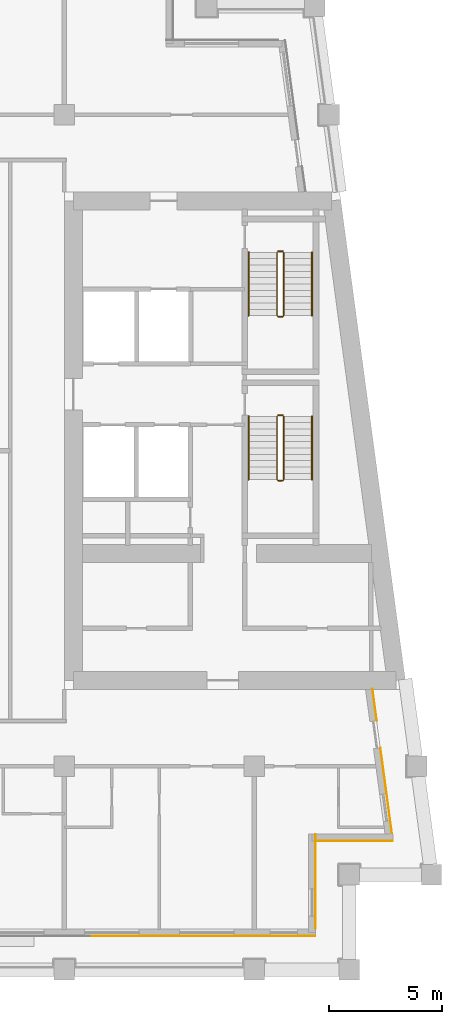
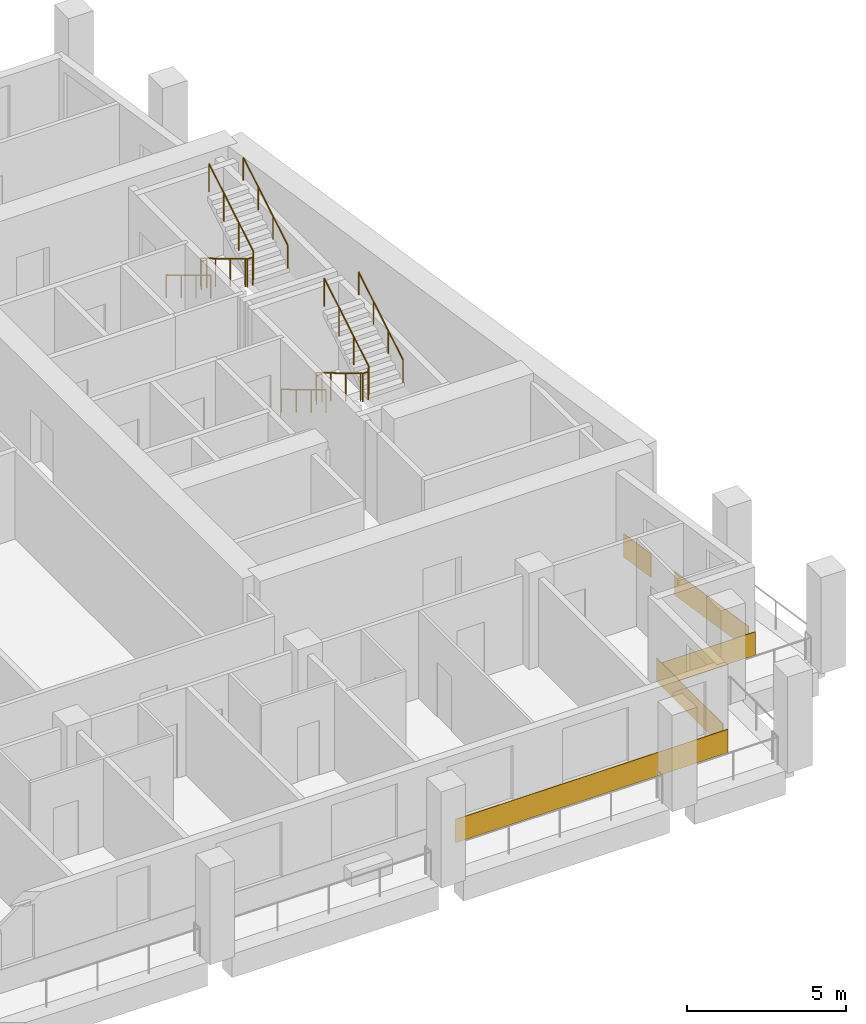
# One storey, part 10 of 12: 8 railings, 5 coverings.
"""IFC4 building model written with IfcOpenShell, lengths in metres."""

import ifcopenshell
import ifcopenshell.guid

model = None  # the IFC model being written
_history = None  # IfcOwnerHistory: only IFC2X3 demands one
_inside = {}  # id of a spatial element -> (the spatial element, [elements in it])
_under = {}  # id of a project, library or spatial element -> (it, [spatial elements below it])
_declared = {}  # id of a project -> (the project, [libraries it declares])
_typed = {}  # id of a type object -> (the type object, [elements of that type])
_made_of = {}  # id of a material, layer set ... -> (it, [elements and type objects made of it])


def new_model(schema):
    """Start an empty IFC model of exactly this schema.

    Asked for "IFC4X3", IfcOpenShell would pick the latest addendum, in which some entities
    have other attributes; the version numbers below select the first issue.
    IFC2X3 requires an IfcOwnerHistory on every rooted entity: one is made here for all.
    """
    global model, _history
    if schema == "IFC4X3":
        model = ifcopenshell.file(schema_version=(4, 3, 0, 0))
    else:
        model = ifcopenshell.file(schema=schema)
    _inside.clear()
    _under.clear()
    _declared.clear()
    _typed.clear()
    _made_of.clear()
    _history = None
    if model.schema == "IFC2X3":
        org = make("IfcOrganization", Name="unknown")
        user = make(
            "IfcPersonAndOrganization",
            ThePerson=make("IfcPerson", FamilyName="unknown"),
            TheOrganization=org,
        )
        app = make(
            "IfcApplication",
            ApplicationDeveloper=org,
            Version="unknown",
            ApplicationFullName="unknown",
            ApplicationIdentifier="unknown",
        )
        _history = make(
            "IfcOwnerHistory",
            OwningUser=user,
            OwningApplication=app,
            ChangeAction="ADDED",
            CreationDate=0,
        )
    return model


def make(cls, **values):
    """One entity of the class cls with the attributes given. An attribute that is None is left unset."""
    return model.create_entity(
        cls, **{name: value for name, value in values.items() if value is not None}
    )


def rooted(cls, **values):
    """An entity with a GlobalId (a new one), such as an element, a storey or a relation."""
    return make(cls, GlobalId=ifcopenshell.guid.new(), OwnerHistory=_history, **values)


def si_unit(unit_type, name, prefix=None):
    """IfcSIUnit, for example si_unit("LENGTHUNIT", "METRE", prefix="MILLI")."""
    return make("IfcSIUnit", UnitType=unit_type, Prefix=prefix, Name=name)


def assignment(units):
    """IfcUnitAssignment: the units of a project."""
    return None if units is None else make("IfcUnitAssignment", Units=units)


def point(xyz):
    """IfcCartesianPoint."""
    return None if xyz is None else make("IfcCartesianPoint", Coordinates=xyz)


def direction(xyz):
    """IfcDirection."""
    return None if xyz is None else make("IfcDirection", DirectionRatios=xyz)


def frame(location, z_axis=None, x_axis=None):
    """IfcAxis2Placement3D, a coordinate frame: its origin and axes. An axis left out is left unset."""
    return make(
        "IfcAxis2Placement3D",
        Location=point(location),
        Axis=direction(z_axis),
        RefDirection=direction(x_axis),
    )


def frame_2d(location, x_axis=None):
    """IfcAxis2Placement2D, a coordinate frame in the plane: its origin and x axis."""
    return make(
        "IfcAxis2Placement2D", Location=point(location), RefDirection=direction(x_axis)
    )


def origin():
    """The frame at (0, 0, 0) with its axes left unset."""
    return frame((0.0, 0.0, 0.0))


def origin_2d():
    """The frame at (0, 0) in the plane with its x axis left unset."""
    return frame_2d((0.0, 0.0))


def place(relative_to, where):
    """IfcLocalPlacement: puts the frame where relative to a parent placement (None: the world)."""
    return make(
        "IfcLocalPlacement", PlacementRelTo=relative_to, RelativePlacement=where
    )


def context(
    kind, dimensions, precision=None, world=None, true_north=None, identifier=None
):
    """IfcGeometricRepresentationContext, for example the 3D "Model" context."""
    return make(
        "IfcGeometricRepresentationContext",
        ContextIdentifier=identifier,
        ContextType=kind,
        CoordinateSpaceDimension=dimensions,
        Precision=precision,
        WorldCoordinateSystem=world,
        TrueNorth=true_north,
    )


def subcontext(parent, identifier, kind, view, scale=None):
    """IfcGeometricRepresentationSubContext, for example "Body" below "Model"."""
    return make(
        "IfcGeometricRepresentationSubContext",
        ContextIdentifier=identifier,
        ContextType=kind,
        ParentContext=parent,
        TargetScale=scale,
        TargetView=view,
    )


def project(units=None, contexts=None):
    """IfcProject with its units and contexts."""
    return rooted(
        "IfcProject",
        Name="project",
        RepresentationContexts=contexts,
        UnitsInContext=assignment(units),
    )


def spatial(cls, under=None, at=None, **own):
    """A site, building, storey or space (cls), placed at a placement, below another one or the project."""
    s = rooted(cls, ObjectPlacement=at, **own)
    if under is not None:
        _under.setdefault(under.id(), (under, []))[1].append(s)
    return s


def profile(cls, at=None, kind="AREA", **sizes):
    """A parametric profile (cls). Its sizes go by their IFC names, for example OverallWidth=200.0."""
    return make(cls, ProfileType=kind, Position=at, **sizes)


def rectangle(**sizes):
    """IfcRectangleProfileDef."""
    return profile("IfcRectangleProfileDef", **sizes)


def circle(**sizes):
    """IfcCircleProfileDef."""
    return profile("IfcCircleProfileDef", **sizes)


def extrude(swept, where, along, depth):
    """IfcExtrudedAreaSolid: the profile swept, set in the frame where, extruded along a direction by depth."""
    return make(
        "IfcExtrudedAreaSolid",
        SweptArea=swept,
        Position=where,
        ExtrudedDirection=direction(along),
        Depth=depth,
    )


def shape(context_of_items, identifier, shape_type, items):
    """IfcShapeRepresentation: the items that make up one representation, for example the "Body"."""
    return make(
        "IfcShapeRepresentation",
        ContextOfItems=context_of_items,
        RepresentationIdentifier=identifier,
        RepresentationType=shape_type,
        Items=items,
    )


def material(Name=None, Category=None):
    """IfcMaterial."""
    return make("IfcMaterial", Name=Name, Category=Category)


def layer(
    of_material, thickness, ventilated=None, Name=None, Category=None, Priority=None
):
    """IfcMaterialLayer: one layer of a wall or slab, of a material (None: an air gap)."""
    return make(
        "IfcMaterialLayer",
        Material=of_material,
        LayerThickness=thickness,
        IsVentilated=ventilated,
        Name=Name,
        Category=Category,
        Priority=Priority,
    )


def layer_set(layers, Name=None):
    """IfcMaterialLayerSet."""
    return make("IfcMaterialLayerSet", MaterialLayers=layers, LayerSetName=Name)


def made_of(thing, what):
    """Note that an element or type object is made of a material, layer set ...; save() writes the relation."""
    if what is not None:
        _made_of.setdefault(what.id(), (what, []))[1].append(thing)
    return thing


def type_object(cls, material=None, **own):
    """A type object (cls), such as IfcWallType, which elements share."""
    return made_of(rooted(cls, **own), material)


def element(
    cls,
    number,
    at=None,
    inside=None,
    cuts=None,
    type_object=None,
    material=None,
    context=None,
    identifier="Body",
    shape_type=None,
    held_by="IfcProductDefinitionShape",
    body=None,
    shapes=None,
    **own,
):
    """One element of the class cls, such as IfcWall. Its Tag is "e" and its number.

    at: its placement. inside: the storey or other place that contains it. cuts: it is an
    opening in that element (IfcRelVoidsElement). A single representation is given by context,
    identifier, shape_type and body (its items); several are given by shapes. held_by: the class
    of the entity that holds the representations. save() writes the other relations.
    """
    e = rooted(cls, Tag="e%d" % number, ObjectPlacement=at, **own)
    if body is not None:
        shapes = [shape(context, identifier, shape_type, body)]
    if shapes is not None:
        e.Representation = make(held_by, Representations=shapes)
    if inside is not None:
        _inside.setdefault(inside.id(), (inside, []))[1].append(e)
    if cuts is not None:
        rooted(
            "IfcRelVoidsElement", RelatingBuildingElement=cuts, RelatedOpeningElement=e
        )
    if type_object is not None:
        _typed.setdefault(type_object.id(), (type_object, []))[1].append(e)
    return made_of(e, material)


def aggregate(whole, parts):
    """IfcRelAggregates: a whole, such as a stair, and the parts it consists of."""
    return rooted("IfcRelAggregates", RelatingObject=whole, RelatedObjects=parts)


def save(model, path):
    """Write the relations noted so far, then the file.

    IfcRelAggregates (storeys below a building ...), IfcRelContainedInSpatialStructure (elements
    in a storey), IfcRelDefinesByType, IfcRelAssociatesMaterial and IfcRelDeclares: one each for
    every whole, place, type object, material and project.
    """
    for whole, parts in _under.values():
        aggregate(whole, parts)
    for where, things in _inside.values():
        rooted(
            "IfcRelContainedInSpatialStructure",
            RelatedElements=things,
            RelatingStructure=where,
        )
    for kind, things in _typed.values():
        rooted("IfcRelDefinesByType", RelatedObjects=things, RelatingType=kind)
    for what, things in _made_of.values():
        rooted("IfcRelAssociatesMaterial", RelatedObjects=things, RelatingMaterial=what)
    for by, libraries in _declared.values():
        rooted("IfcRelDeclares", RelatingContext=by, RelatedDefinitions=libraries)
    model.write(path)


model = new_model("IFC4")

# Units and contexts
model_context = context("Model", 3, precision=1e-05, world=origin(), true_north=direction((0.0, 1.0)))
body_context = subcontext(model_context, "Body", "Model", "MODEL_VIEW")
ifc_project = project(units=[si_unit("LENGTHUNIT", "METRE"), si_unit("AREAUNIT", "SQUARE_METRE"), si_unit("VOLUMEUNIT", "CUBIC_METRE"), si_unit("PLANEANGLEUNIT", "RADIAN"), si_unit("MASSUNIT", "GRAM", prefix="KILO")], contexts=[model_context])

# Site, building, storey
site_placement = place(None, origin())
site = spatial("IfcSite", under=ifc_project, at=site_placement, CompositionType="ELEMENT")
building_placement = place(site_placement, origin())
building = spatial("IfcBuilding", under=site, at=building_placement, Name="Candeia Pilgrim Tower and Theatre", CompositionType="ELEMENT")
storey_placement = place(building_placement, frame((0.0, 0.0, 213.300048828125)))
storey = spatial("IfcBuildingStorey", under=building, at=storey_placement, Name="L51", CompositionType="ELEMENT", Elevation=213.300048828125)

# Coverings
ifc_material_1 = material(Name="Glazed ceramic tile bottle green")
ifc_layer_1 = layer(ifc_material_1, 0.02001953125)
ifc_layer_set_1 = layer_set([ifc_layer_1], Name="Glazed ceramic tile bottle green")
covering_type_1 = type_object("IfcCoveringType", Name="Glazed ceramic tile bottle green", PredefinedType="CLADDING", material=ifc_layer_set_1)
covering_1_placement = place(storey_placement, frame((137.110107421875, 101.909912109375, 0.0), z_axis=(0.0, 0.0, 1.0), x_axis=(0.0, 1.0, 0.0)))
element("IfcCovering", 1, at=covering_1_placement, inside=storey, type_object=covering_type_1, Name="Tile cladding bottle green L51", PredefinedType="CLADDING", context=body_context, shape_type="SweptSolid", body=[
    extrude(rectangle(XDim=4.179931640625, YDim=0.02001953125, at=origin_2d()), origin(), (0.0, 0.0, 1.0), 0.89990234375),
])
covering_2_placement = place(storey_placement, frame((140.228515625, 105.933349609375, 0.0), z_axis=(0.0, 0.0, 1.0), x_axis=(-0.133412012145, 0.991060661622, 0.0)))
element("IfcCovering", 2, at=covering_2_placement, inside=storey, type_object=covering_type_1, Name="Tile cladding bottle green L51", PredefinedType="CLADDING", context=body_context, shape_type="SweptSolid", body=[
    extrude(rectangle(XDim=3.821044921875, YDim=0.02001953125, at=origin_2d()), origin(), (0.0, 0.0, 1.0), 0.89990234375),
])
covering_3_placement = place(storey_placement, frame((139.718994140625, 109.71875, 0.0), z_axis=(0.0, 0.0, 1.0), x_axis=(-0.133412012145, 0.991060661622, 0.0)))
element("IfcCovering", 3, at=covering_3_placement, inside=storey, type_object=covering_type_1, Name="Tile cladding bottle green L51", PredefinedType="CLADDING", context=body_context, shape_type="SweptSolid", body=[
    extrude(rectangle(XDim=1.41796875, YDim=0.02001953125, at=origin_2d()), origin(), (0.0, 0.0, 1.0), 0.89990234375),
])
ifc_material_2 = material(Name="Glazed ceramic tile rust")
ifc_layer_2 = layer(ifc_material_2, 0.02001953125)
ifc_layer_set_2 = layer_set([ifc_layer_2], Name="Glazed ceramic tile rust")
covering_type_2 = type_object("IfcCoveringType", Name="Glazed ceramic tile rust", PredefinedType="CLADDING", material=ifc_layer_set_2)
covering_4_placement = place(storey_placement, frame((132.14990234375, 99.489990234375, 0.0), z_axis=(0.0, 0.0, 1.0), x_axis=(1.0, 0.0, 0.0)))
element("IfcCovering", 4, at=covering_4_placement, inside=storey, type_object=covering_type_2, Name="Tile cladding rust L51", PredefinedType="CLADDING", context=body_context, shape_type="SweptSolid", body=[
    extrude(rectangle(XDim=9.89990234375, YDim=0.02001953125, at=origin_2d()), origin(), (0.0, 0.0, 1.0), 0.89990234375),
])
covering_5_placement = place(storey_placement, frame((138.819580078125, 103.68994140625, 0.0), z_axis=(0.0, 0.0, 1.0), x_axis=(1.0, 0.0, 0.0)))
element("IfcCovering", 5, at=covering_5_placement, inside=storey, type_object=covering_type_2, Name="Tile cladding rust L51", PredefinedType="CLADDING", context=body_context, shape_type="SweptSolid", body=[
    extrude(rectangle(XDim=3.399169921875, YDim=0.02001953125, at=origin_2d()), origin(), (0.0, 0.0, 1.0), 0.89990234375),
])

# Railings
ifc_material_3 = material(Name="Stainless steel balustrade", Category="steel")
railing_type_1 = type_object("IfcRailingType", Name="RL-GUARD-1100", PredefinedType="GUARDRAIL", material=ifc_material_3)
railing_1_placement = place(storey_placement, frame((135.39794921875, 122.47509765625, 0.168212890625)))
element("IfcRailing", 6, at=railing_1_placement, inside=storey, type_object=railing_type_1, Name="L51 ST3 stair guard 1", PredefinedType="GUARDRAIL", context=body_context, shape_type="SweptSolid", body=[
    extrude(circle(Radius=0.02392578125, at=origin_2d()), frame((0.0, 0.0, 1.076171875), z_axis=(0.0, -0.857275202839, 0.514858452973), x_axis=(1.0, 0.0, 0.0)), (0.0, 0.0, 1.0), 3.26611328125),
    extrude(circle(Radius=0.02392578125, at=origin_2d()), frame((0.0, -2.800048828125, 2.7578125), z_axis=(0.707106781187, -0.707106781187, 0.0), x_axis=(0.707106781187, 0.707106781187, 0.0)), (0.0, 0.0, 1.0), 0.07080078125),
    extrude(circle(Radius=0.02392578125, at=origin_2d()), frame((0.050048828125, -2.85009765625, 2.7578125), z_axis=(1.0, 0.0, 0.0), x_axis=(0.0, 1.0, 0.0)), (0.0, 0.0, 1.0), 0.199951171875),
    extrude(circle(Radius=0.02392578125, at=origin_2d()), frame((0.25, -2.85009765625, 2.7578125), z_axis=(0.274243871929, 0.274243871929, 0.92172696468), x_axis=(-0.707106781187, 0.707106781187, 0.0)), (0.0, 0.0, 1.0), 0.1826171875),
    extrude(circle(Radius=0.02392578125, at=origin_2d()), frame((0.300048828125, -2.800048828125, 2.92578125), z_axis=(0.0, 0.857242210791, 0.514913383045), x_axis=(-1.0, 0.0, 0.0)), (0.0, 0.0, 1.0), 3.266357421875),
    extrude(circle(Radius=0.02099609375, at=origin_2d()), origin(), (0.0, 0.0, 1.0), 1.052001953125),
    extrude(circle(Radius=0.02099609375, at=origin_2d()), frame((0.0, -0.933349609375, 0.560546875)), (0.0, 0.0, 1.0), 1.052001953125),
    extrude(circle(Radius=0.02099609375, at=origin_2d()), frame((0.0, -1.86669921875, 1.12109375)), (0.0, 0.0, 1.0), 1.052001953125),
    extrude(circle(Radius=0.02099609375, at=origin_2d()), frame((0.0, -2.800048828125, 1.681640625)), (0.0, 0.0, 1.0), 1.052001953125),
    extrude(circle(Radius=0.02099609375, at=origin_2d()), frame((0.050048828125, -2.85009765625, 1.681640625)), (0.0, 0.0, 1.0), 1.052001953125),
    extrude(circle(Radius=0.02099609375, at=origin_2d()), frame((0.25, -2.85009765625, 1.681640625)), (0.0, 0.0, 1.0), 1.052001953125),
    extrude(circle(Radius=0.02099609375, at=origin_2d()), frame((0.300048828125, -2.800048828125, 1.849853515625)), (0.0, 0.0, 1.0), 1.052001953125),
    extrude(circle(Radius=0.02099609375, at=origin_2d()), frame((0.300048828125, -1.86669921875, 2.410400390625)), (0.0, 0.0, 1.0), 1.052001953125),
    extrude(circle(Radius=0.02099609375, at=origin_2d()), frame((0.300048828125, -0.933349609375, 2.97119140625)), (0.0, 0.0, 1.0), 1.052001953125),
    extrude(circle(Radius=0.02099609375, at=origin_2d()), frame((0.300048828125, 0.0, 3.53173828125)), (0.0, 0.0, 1.0), 1.052001953125),
])
railing_2_placement = place(storey_placement, frame((135.447998046875, 122.52490234375, 0.0)))
element("IfcRailing", 7, at=railing_2_placement, inside=storey, type_object=railing_type_1, Name="L51 ST3 stair guard 2", PredefinedType="GUARDRAIL", context=body_context, shape_type="SweptSolid", body=[
    extrude(circle(Radius=0.02392578125, at=origin_2d()), frame((0.0, 0.0, 1.076171875), z_axis=(1.0, 0.0, 0.0), x_axis=(0.0, 1.0, 0.0)), (0.0, 0.0, 1.0), 0.199951171875),
    extrude(circle(Radius=0.02099609375, at=origin_2d()), origin(), (0.0, 0.0, 1.0), 1.052001953125),
    extrude(circle(Radius=0.02099609375, at=origin_2d()), frame((0.199951171875, 0.0, 0.0)), (0.0, 0.0, 1.0), 1.052001953125),
])
railing_3_placement = place(storey_placement, frame((135.39794921875, 129.72509765625, 0.168212890625)))
element("IfcRailing", 8, at=railing_3_placement, inside=storey, type_object=railing_type_1, Name="L51 ST4 stair guard 1", PredefinedType="GUARDRAIL", context=body_context, shape_type="SweptSolid", body=[
    extrude(circle(Radius=0.02392578125, at=origin_2d()), frame((0.0, 0.0, 1.076171875), z_axis=(0.0, -0.857275202839, 0.514858452973), x_axis=(1.0, 0.0, 0.0)), (0.0, 0.0, 1.0), 3.26611328125),
    extrude(circle(Radius=0.02392578125, at=origin_2d()), frame((0.0, -2.800048828125, 2.7578125), z_axis=(0.707106781187, -0.707106781187, 0.0), x_axis=(0.707106781187, 0.707106781187, 0.0)), (0.0, 0.0, 1.0), 0.07080078125),
    extrude(circle(Radius=0.02392578125, at=origin_2d()), frame((0.050048828125, -2.85009765625, 2.7578125), z_axis=(1.0, 0.0, 0.0), x_axis=(0.0, 1.0, 0.0)), (0.0, 0.0, 1.0), 0.199951171875),
    extrude(circle(Radius=0.02392578125, at=origin_2d()), frame((0.25, -2.85009765625, 2.7578125), z_axis=(0.274243871929, 0.274243871929, 0.92172696468), x_axis=(-0.707106781187, 0.707106781187, 0.0)), (0.0, 0.0, 1.0), 0.1826171875),
    extrude(circle(Radius=0.02392578125, at=origin_2d()), frame((0.300048828125, -2.800048828125, 2.92578125), z_axis=(0.0, 0.857242210791, 0.514913383045), x_axis=(-1.0, 0.0, 0.0)), (0.0, 0.0, 1.0), 3.266357421875),
    extrude(circle(Radius=0.02099609375, at=origin_2d()), origin(), (0.0, 0.0, 1.0), 1.052001953125),
    extrude(circle(Radius=0.02099609375, at=origin_2d()), frame((0.0, -0.933349609375, 0.560546875)), (0.0, 0.0, 1.0), 1.052001953125),
    extrude(circle(Radius=0.02099609375, at=origin_2d()), frame((0.0, -1.86669921875, 1.12109375)), (0.0, 0.0, 1.0), 1.052001953125),
    extrude(circle(Radius=0.02099609375, at=origin_2d()), frame((0.0, -2.800048828125, 1.681640625)), (0.0, 0.0, 1.0), 1.052001953125),
    extrude(circle(Radius=0.02099609375, at=origin_2d()), frame((0.050048828125, -2.85009765625, 1.681640625)), (0.0, 0.0, 1.0), 1.052001953125),
    extrude(circle(Radius=0.02099609375, at=origin_2d()), frame((0.25, -2.85009765625, 1.681640625)), (0.0, 0.0, 1.0), 1.052001953125),
    extrude(circle(Radius=0.02099609375, at=origin_2d()), frame((0.300048828125, -2.800048828125, 1.849853515625)), (0.0, 0.0, 1.0), 1.052001953125),
    extrude(circle(Radius=0.02099609375, at=origin_2d()), frame((0.300048828125, -1.86669921875, 2.410400390625)), (0.0, 0.0, 1.0), 1.052001953125),
    extrude(circle(Radius=0.02099609375, at=origin_2d()), frame((0.300048828125, -0.933349609375, 2.97119140625)), (0.0, 0.0, 1.0), 1.052001953125),
    extrude(circle(Radius=0.02099609375, at=origin_2d()), frame((0.300048828125, 0.0, 3.53173828125)), (0.0, 0.0, 1.0), 1.052001953125),
])
railing_4_placement = place(storey_placement, frame((135.447998046875, 129.77490234375, 0.0)))
element("IfcRailing", 9, at=railing_4_placement, inside=storey, type_object=railing_type_1, Name="L51 ST4 stair guard 2", PredefinedType="GUARDRAIL", context=body_context, shape_type="SweptSolid", body=[
    extrude(circle(Radius=0.02392578125, at=origin_2d()), frame((0.0, 0.0, 1.076171875), z_axis=(1.0, 0.0, 0.0), x_axis=(0.0, 1.0, 0.0)), (0.0, 0.0, 1.0), 0.199951171875),
    extrude(circle(Radius=0.02099609375, at=origin_2d()), origin(), (0.0, 0.0, 1.0), 1.052001953125),
    extrude(circle(Radius=0.02099609375, at=origin_2d()), frame((0.199951171875, 0.0, 0.0)), (0.0, 0.0, 1.0), 1.052001953125),
])
ifc_material_4 = material(Name="Stainless steel handrail", Category="steel")
railing_type_2 = type_object("IfcRailingType", Name="RL-HANDRAIL-900", PredefinedType="HANDRAIL", material=ifc_material_4)
railing_5_placement = place(storey_placement, frame((134.14794921875, 122.47509765625, 0.168212890625)))
element("IfcRailing", 10, at=railing_5_placement, inside=storey, type_object=railing_type_2, Name="L51 ST3 stair handrail 1", PredefinedType="HANDRAIL", context=body_context, shape_type="SweptSolid", body=[
    extrude(circle(Radius=0.02392578125, at=origin_2d()), frame((0.0, 0.0, 0.8759765625), z_axis=(0.0, -0.857275202839, 0.514858452973), x_axis=(1.0, 0.0, 0.0)), (0.0, 0.0, 1.0), 3.26611328125),
    extrude(circle(Radius=0.02099609375, at=origin_2d()), origin(), (0.0, 0.0, 1.0), 0.851806640625),
    extrude(circle(Radius=0.02099609375, at=origin_2d()), frame((0.0, -0.933349609375, 0.560546875)), (0.0, 0.0, 1.0), 0.851806640625),
    extrude(circle(Radius=0.02099609375, at=origin_2d()), frame((0.0, -1.86669921875, 1.12109375)), (0.0, 0.0, 1.0), 0.851806640625),
    extrude(circle(Radius=0.02099609375, at=origin_2d()), frame((0.0, -2.800048828125, 1.681640625)), (0.0, 0.0, 1.0), 0.851806640625),
])
railing_6_placement = place(storey_placement, frame((136.947998046875, 119.675048828125, 2.01806640625)))
element("IfcRailing", 11, at=railing_6_placement, inside=storey, type_object=railing_type_2, Name="L51 ST3 stair handrail 2", PredefinedType="HANDRAIL", context=body_context, shape_type="SweptSolid", body=[
    extrude(circle(Radius=0.02392578125, at=origin_2d()), frame((0.0, 0.0, 0.8759765625), z_axis=(0.0, 0.857242210791, 0.514913383045), x_axis=(-1.0, 0.0, 0.0)), (0.0, 0.0, 1.0), 3.266357421875),
    extrude(circle(Radius=0.02099609375, at=origin_2d()), origin(), (0.0, 0.0, 1.0), 0.851806640625),
    extrude(circle(Radius=0.02099609375, at=origin_2d()), frame((0.0, 0.933349609375, 0.560546875)), (0.0, 0.0, 1.0), 0.851806640625),
    extrude(circle(Radius=0.02099609375, at=origin_2d()), frame((0.0, 1.86669921875, 1.121337890625)), (0.0, 0.0, 1.0), 0.851806640625),
    extrude(circle(Radius=0.02099609375, at=origin_2d()), frame((0.0, 2.800048828125, 1.681884765625)), (0.0, 0.0, 1.0), 0.851806640625),
])
railing_7_placement = place(storey_placement, frame((134.14794921875, 129.72509765625, 0.168212890625)))
element("IfcRailing", 12, at=railing_7_placement, inside=storey, type_object=railing_type_2, Name="L51 ST4 stair handrail 1", PredefinedType="HANDRAIL", context=body_context, shape_type="SweptSolid", body=[
    extrude(circle(Radius=0.02392578125, at=origin_2d()), frame((0.0, 0.0, 0.8759765625), z_axis=(0.0, -0.857275202839, 0.514858452973), x_axis=(1.0, 0.0, 0.0)), (0.0, 0.0, 1.0), 3.26611328125),
    extrude(circle(Radius=0.02099609375, at=origin_2d()), origin(), (0.0, 0.0, 1.0), 0.851806640625),
    extrude(circle(Radius=0.02099609375, at=origin_2d()), frame((0.0, -0.933349609375, 0.560546875)), (0.0, 0.0, 1.0), 0.851806640625),
    extrude(circle(Radius=0.02099609375, at=origin_2d()), frame((0.0, -1.86669921875, 1.12109375)), (0.0, 0.0, 1.0), 0.851806640625),
    extrude(circle(Radius=0.02099609375, at=origin_2d()), frame((0.0, -2.800048828125, 1.681640625)), (0.0, 0.0, 1.0), 0.851806640625),
])
railing_8_placement = place(storey_placement, frame((136.947998046875, 126.925048828125, 2.01806640625)))
element("IfcRailing", 13, at=railing_8_placement, inside=storey, type_object=railing_type_2, Name="L51 ST4 stair handrail 2", PredefinedType="HANDRAIL", context=body_context, shape_type="SweptSolid", body=[
    extrude(circle(Radius=0.02392578125, at=origin_2d()), frame((0.0, 0.0, 0.8759765625), z_axis=(0.0, 0.857242210791, 0.514913383045), x_axis=(-1.0, 0.0, 0.0)), (0.0, 0.0, 1.0), 3.266357421875),
    extrude(circle(Radius=0.02099609375, at=origin_2d()), origin(), (0.0, 0.0, 1.0), 0.851806640625),
    extrude(circle(Radius=0.02099609375, at=origin_2d()), frame((0.0, 0.933349609375, 0.560546875)), (0.0, 0.0, 1.0), 0.851806640625),
    extrude(circle(Radius=0.02099609375, at=origin_2d()), frame((0.0, 1.86669921875, 1.121337890625)), (0.0, 0.0, 1.0), 0.851806640625),
    extrude(circle(Radius=0.02099609375, at=origin_2d()), frame((0.0, 2.800048828125, 1.681884765625)), (0.0, 0.0, 1.0), 0.851806640625),
])

save(model, "model.ifc")
